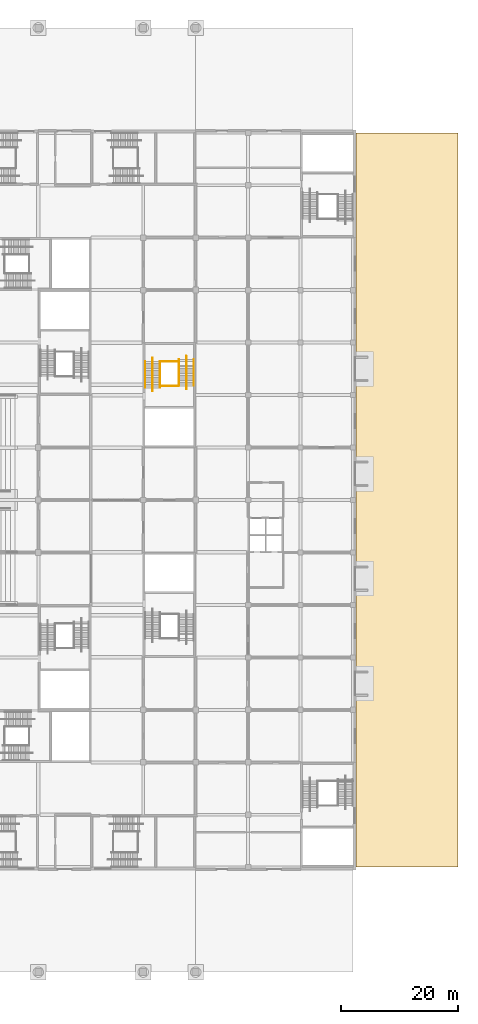
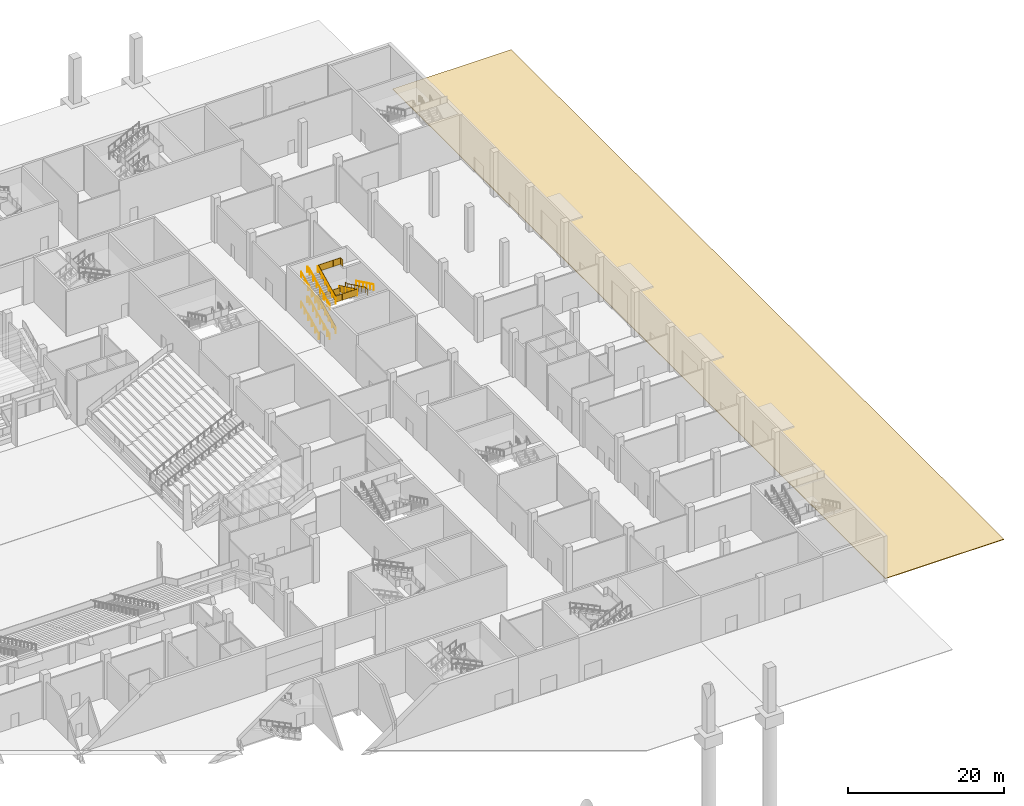
# One storey, part 81 of 92: 15 railings, 1 covering.
"""IFC4 building model written with IfcOpenShell, lengths in metres."""

from ifc_helpers import new_model, si_unit, direction, frame, origin, origin_2d, place, context, subcontext, project, spatial, polyline, circle, outline, extrude, material, layer, layer_set, type_object, element, save


model = new_model("IFC4")

# Units and contexts
model_context = context("Model", 3, precision=1e-05, world=origin(), true_north=direction((0.0, 1.0)))
body_context = subcontext(model_context, "Body", "Model", "MODEL_VIEW")
ifc_project = project(units=[si_unit("LENGTHUNIT", "METRE"), si_unit("AREAUNIT", "SQUARE_METRE"), si_unit("VOLUMEUNIT", "CUBIC_METRE"), si_unit("PLANEANGLEUNIT", "RADIAN"), si_unit("MASSUNIT", "GRAM", prefix="KILO")], contexts=[model_context])

# Site, building, storey
site_placement = place(None, origin())
site = spatial("IfcSite", under=ifc_project, at=site_placement, CompositionType="ELEMENT")
building_placement = place(site_placement, origin())
building = spatial("IfcBuilding", under=site, at=building_placement, Name="Silverbay Arena", CompositionType="ELEMENT")
storey_placement = place(building_placement, origin())
storey = spatial("IfcBuildingStorey", under=building, at=storey_placement, Name="L00", CompositionType="ELEMENT", Elevation=0.0)

# Covering
ifc_material_1 = material(Name="Granite paving slabs", Category="masonry")
ifc_layer = layer(ifc_material_1, 0.10009765625)
ifc_layer_set = layer_set([ifc_layer], Name="Granite paving slabs")
covering_type = type_object("IfcCoveringType", Name="Granite paving 100", PredefinedType="FLOORING", material=ifc_layer_set)
covering_placement = place(storey_placement, frame((0.0, 0.0, -0.10009765625)))
element("IfcCovering", 1, at=covering_placement, inside=storey, type_object=covering_type, Name="Paving loading apron", PredefinedType="FLOORING", context=body_context, shape_type="SweptSolid", body=[
    extrude(outline(polyline([(252.0, 18.0), (234.5, 18.0), (234.5, 144.0), (252.0, 144.0), (252.0, 18.0)])), origin(), (0.0, 0.0, 1.0), 0.10009765625),
])

# Railings
ifc_material_2 = material(Name="Stainless steel", Category="steel")
railing_type_1 = type_object("IfcRailingType", Name="Stair guard 1100", PredefinedType="GUARDRAIL", material=ifc_material_2)
railing_1_placement = place(storey_placement, frame((200.875, 100.2568359375, 0.145751953125)))
element("IfcRailing", 2, at=railing_1_placement, inside=storey, type_object=railing_type_1, Name="Stair ST-E2 L00 to L01 flight 1 guard right", PredefinedType="GUARDRAIL", context=body_context, shape_type="SweptSolid", body=[
    extrude(circle(Radius=0.02392578125, at=origin_2d()), frame((0.0, 0.0, 1.076171875), z_axis=(0.0, 0.899367854138, 0.437192706873), x_axis=(-1.0, 0.0, 0.0)), (0.0, 0.0, 1.0), 5.00341796875),
    extrude(outline(polyline([(-0.008056640625, 0.046142578125), (0.907958984375, 0.491455078125), (0.907958984375, 1.494384765625), (-0.008056640625, 1.049072265625), (-0.008056640625, 0.046142578125)])), frame((-0.0029296875, 0.0, 0.0), z_axis=(1.0, 0.0, 0.0), x_axis=(0.0, 1.0, 0.0)), (0.0, 0.0, 1.0), 0.006103515625),
    extrude(outline(polyline([(-0.008056640625, 0.483642578125), (0.907958984375, 0.928955078125), (0.907958984375, 1.931884765625), (-0.008056640625, 1.486572265625), (-0.008056640625, 0.483642578125)])), frame((-0.0029296875, 0.89990234375, 0.0), z_axis=(1.0, 0.0, 0.0), x_axis=(0.0, 1.0, 0.0)), (0.0, 0.0, 1.0), 0.006103515625),
    extrude(outline(polyline([(-0.008056640625, 0.921142578125), (0.907958984375, 1.366455078125), (0.907958984375, 2.369384765625), (-0.008056640625, 1.924072265625), (-0.008056640625, 0.921142578125)])), frame((-0.0029296875, 1.800048828125, 0.0), z_axis=(1.0, 0.0, 0.0), x_axis=(0.0, 1.0, 0.0)), (0.0, 0.0, 1.0), 0.006103515625),
    extrude(outline(polyline([(-0.008056640625, 1.358642578125), (0.907958984375, 1.803955078125), (0.907958984375, 2.806884765625), (-0.008056640625, 2.361572265625), (-0.008056640625, 1.358642578125)])), frame((-0.0029296875, 2.699951171875, 0.0), z_axis=(1.0, 0.0, 0.0), x_axis=(0.0, 1.0, 0.0)), (0.0, 0.0, 1.0), 0.006103515625),
    extrude(outline(polyline([(-0.008056640625, 1.796142578125), (0.907958984375, 2.241455078125), (0.907958984375, 3.244384765625), (-0.008056640625, 2.799072265625), (-0.008056640625, 1.796142578125)])), frame((-0.0029296875, 3.60009765625, 0.0), z_axis=(1.0, 0.0, 0.0), x_axis=(0.0, 1.0, 0.0)), (0.0, 0.0, 1.0), 0.006103515625),
    extrude(circle(Radius=0.02099609375, at=origin_2d()), origin(), (0.0, 0.0, 1.0), 1.052001953125),
    extrude(circle(Radius=0.02099609375, at=origin_2d()), frame((0.0, 0.89990234375, 0.4375)), (0.0, 0.0, 1.0), 1.052001953125),
    extrude(circle(Radius=0.02099609375, at=origin_2d()), frame((0.0, 1.800048828125, 0.875)), (0.0, 0.0, 1.0), 1.052001953125),
    extrude(circle(Radius=0.02099609375, at=origin_2d()), frame((0.0, 2.699951171875, 1.3125)), (0.0, 0.0, 1.0), 1.052001953125),
    extrude(circle(Radius=0.02099609375, at=origin_2d()), frame((0.0, 3.60009765625, 1.75)), (0.0, 0.0, 1.0), 1.052001953125),
    extrude(circle(Radius=0.02099609375, at=origin_2d()), frame((0.0, 4.5, 2.1875)), (0.0, 0.0, 1.0), 1.052001953125),
])
railing_2_placement = place(storey_placement, frame((204.125, 105.10009765625, 2.479248046875)))
element("IfcRailing", 3, at=railing_2_placement, inside=storey, type_object=railing_type_1, Name="Stair ST-E2 L00 to L01 flight 2 guard left", PredefinedType="GUARDRAIL", context=body_context, shape_type="SweptSolid", body=[
    extrude(circle(Radius=0.02392578125, at=origin_2d()), frame((0.0, 0.0, 1.076171875), z_axis=(0.0, -0.899367854138, 0.437192706873), x_axis=(1.0, 0.0, 0.0)), (0.0, 0.0, 1.0), 5.00341796875),
    extrude(outline(polyline([(-0.008056640625, 0.046142578125), (0.907958984375, 0.491455078125), (0.907958984375, 1.494384765625), (-0.008056640625, 1.049072265625), (-0.008056640625, 0.046142578125)])), frame((0.0029296875, 0.0, 0.0), z_axis=(-1.0, 0.0, 0.0), x_axis=(0.0, -1.0, 0.0)), (0.0, 0.0, 1.0), 0.006103515625),
    extrude(outline(polyline([(-0.008056640625, 0.483642578125), (0.907958984375, 0.928955078125), (0.907958984375, 1.931884765625), (-0.008056640625, 1.486572265625), (-0.008056640625, 0.483642578125)])), frame((0.0029296875, -0.89990234375, 0.0), z_axis=(-1.0, 0.0, 0.0), x_axis=(0.0, -1.0, 0.0)), (0.0, 0.0, 1.0), 0.006103515625),
    extrude(outline(polyline([(-0.008056640625, 0.921142578125), (0.907958984375, 1.366455078125), (0.907958984375, 2.369384765625), (-0.008056640625, 1.924072265625), (-0.008056640625, 0.921142578125)])), frame((0.0029296875, -1.800048828125, 0.0), z_axis=(-1.0, 0.0, 0.0), x_axis=(0.0, -1.0, 0.0)), (0.0, 0.0, 1.0), 0.006103515625),
    extrude(outline(polyline([(-0.008056640625, 1.358642578125), (0.907958984375, 1.803955078125), (0.907958984375, 2.806884765625), (-0.008056640625, 2.361572265625), (-0.008056640625, 1.358642578125)])), frame((0.0029296875, -2.699951171875, 0.0), z_axis=(-1.0, 0.0, 0.0), x_axis=(0.0, -1.0, 0.0)), (0.0, 0.0, 1.0), 0.006103515625),
    extrude(outline(polyline([(-0.008056640625, 1.796142578125), (0.907958984375, 2.241455078125), (0.907958984375, 3.244384765625), (-0.008056640625, 2.799072265625), (-0.008056640625, 1.796142578125)])), frame((0.0029296875, -3.60009765625, 0.0), z_axis=(-1.0, 0.0, 0.0), x_axis=(0.0, -1.0, 0.0)), (0.0, 0.0, 1.0), 0.006103515625),
    extrude(circle(Radius=0.02099609375, at=origin_2d()), origin(), (0.0, 0.0, 1.0), 1.052001953125),
    extrude(circle(Radius=0.02099609375, at=origin_2d()), frame((0.0, -0.89990234375, 0.4375)), (0.0, 0.0, 1.0), 1.052001953125),
    extrude(circle(Radius=0.02099609375, at=origin_2d()), frame((0.0, -1.800048828125, 0.875)), (0.0, 0.0, 1.0), 1.052001953125),
    extrude(circle(Radius=0.02099609375, at=origin_2d()), frame((0.0, -2.699951171875, 1.3125)), (0.0, 0.0, 1.0), 1.052001953125),
    extrude(circle(Radius=0.02099609375, at=origin_2d()), frame((0.0, -3.60009765625, 1.75)), (0.0, 0.0, 1.0), 1.052001953125),
    extrude(circle(Radius=0.02099609375, at=origin_2d()), frame((0.0, -4.5, 2.1875)), (0.0, 0.0, 1.0), 1.052001953125),
])
railing_3_placement = place(storey_placement, frame((200.875, 100.2568359375, 4.8125)))
element("IfcRailing", 4, at=railing_3_placement, inside=storey, type_object=railing_type_1, Name="Stair ST-E2 L00 to L01 flight 3 guard right", PredefinedType="GUARDRAIL", context=body_context, shape_type="SweptSolid", body=[
    extrude(circle(Radius=0.02392578125, at=origin_2d()), frame((0.0, 0.0, 1.076171875), z_axis=(0.0, 0.899367854138, 0.437192706873), x_axis=(-1.0, 0.0, 0.0)), (0.0, 0.0, 1.0), 5.00341796875),
    extrude(outline(polyline([(-0.008056640625, 0.046142578125), (0.907958984375, 0.491455078125), (0.907958984375, 1.494384765625), (-0.008056640625, 1.049072265625), (-0.008056640625, 0.046142578125)])), frame((-0.0029296875, 0.0, 0.0), z_axis=(1.0, 0.0, 0.0), x_axis=(0.0, 1.0, 0.0)), (0.0, 0.0, 1.0), 0.006103515625),
    extrude(outline(polyline([(-0.008056640625, 0.483642578125), (0.907958984375, 0.928955078125), (0.907958984375, 1.931884765625), (-0.008056640625, 1.486572265625), (-0.008056640625, 0.483642578125)])), frame((-0.0029296875, 0.89990234375, 0.0), z_axis=(1.0, 0.0, 0.0), x_axis=(0.0, 1.0, 0.0)), (0.0, 0.0, 1.0), 0.006103515625),
    extrude(outline(polyline([(-0.008056640625, 0.921142578125), (0.907958984375, 1.366455078125), (0.907958984375, 2.369384765625), (-0.008056640625, 1.924072265625), (-0.008056640625, 0.921142578125)])), frame((-0.0029296875, 1.800048828125, 0.0), z_axis=(1.0, 0.0, 0.0), x_axis=(0.0, 1.0, 0.0)), (0.0, 0.0, 1.0), 0.006103515625),
    extrude(outline(polyline([(-0.008056640625, 1.358642578125), (0.907958984375, 1.803955078125), (0.907958984375, 2.806884765625), (-0.008056640625, 2.361572265625), (-0.008056640625, 1.358642578125)])), frame((-0.0029296875, 2.699951171875, 0.0), z_axis=(1.0, 0.0, 0.0), x_axis=(0.0, 1.0, 0.0)), (0.0, 0.0, 1.0), 0.006103515625),
    extrude(outline(polyline([(-0.008056640625, 1.796142578125), (0.907958984375, 2.241455078125), (0.907958984375, 3.244384765625), (-0.008056640625, 2.799072265625), (-0.008056640625, 1.796142578125)])), frame((-0.0029296875, 3.60009765625, 0.0), z_axis=(1.0, 0.0, 0.0), x_axis=(0.0, 1.0, 0.0)), (0.0, 0.0, 1.0), 0.006103515625),
    extrude(circle(Radius=0.02099609375, at=origin_2d()), origin(), (0.0, 0.0, 1.0), 1.052001953125),
    extrude(circle(Radius=0.02099609375, at=origin_2d()), frame((0.0, 0.89990234375, 0.4375)), (0.0, 0.0, 1.0), 1.052001953125),
    extrude(circle(Radius=0.02099609375, at=origin_2d()), frame((0.0, 1.800048828125, 0.875)), (0.0, 0.0, 1.0), 1.052001953125),
    extrude(circle(Radius=0.02099609375, at=origin_2d()), frame((0.0, 2.699951171875, 1.3125)), (0.0, 0.0, 1.0), 1.052001953125),
    extrude(circle(Radius=0.02099609375, at=origin_2d()), frame((0.0, 3.60009765625, 1.75)), (0.0, 0.0, 1.0), 1.052001953125),
    extrude(circle(Radius=0.02099609375, at=origin_2d()), frame((0.0, 4.5, 2.1875)), (0.0, 0.0, 1.0), 1.052001953125),
])
for number, where, name in (
    (5, (200.89990234375, 104.806884765625, 2.333251953125), "Stair ST-E2 L00 to L01 landing 1 guard"),
    (6, (200.89990234375, 100.550048828125, 4.666748046875), "Stair ST-E2 L00 to L01 landing 2 guard"),
):
    element("IfcRailing", number, at=place(storey_placement, frame(where)), inside=storey, type_object=railing_type_1, Name=name, PredefinedType="GUARDRAIL", context=body_context, shape_type="SweptSolid", body=[
        extrude(circle(Radius=0.02392578125, at=origin_2d()), frame((0.0, 0.0, 1.076171875), z_axis=(1.0, 0.0, 0.0), x_axis=(0.0, 1.0, 0.0)), (0.0, 0.0, 1.0), 3.2001953125),
        extrude(outline(polyline([(-0.008056640625, 0.050048828125), (1.07470703125, 0.050048828125), (1.07470703125, 1.052978515625), (-0.008056640625, 1.052978515625), (-0.008056640625, 0.050048828125)])), frame((0.0, 0.0029296875, 0.0), z_axis=(0.0, -1.0, 0.0), x_axis=(1.0, 0.0, 0.0)), (0.0, 0.0, 1.0), 0.006103515625),
        extrude(outline(polyline([(-0.008056640625, 0.050048828125), (1.07470703125, 0.050048828125), (1.07470703125, 1.052978515625), (-0.008056640625, 1.052978515625), (-0.008056640625, 0.050048828125)])), frame((1.066650390625, 0.0029296875, 0.0), z_axis=(0.0, -1.0, 0.0), x_axis=(1.0, 0.0, 0.0)), (0.0, 0.0, 1.0), 0.006103515625),
        extrude(outline(polyline([(-0.008056640625, 0.050048828125), (1.07470703125, 0.050048828125), (1.07470703125, 1.052978515625), (-0.008056640625, 1.052978515625), (-0.008056640625, 0.050048828125)])), frame((2.133544921875, 0.0029296875, 0.0), z_axis=(0.0, -1.0, 0.0), x_axis=(1.0, 0.0, 0.0)), (0.0, 0.0, 1.0), 0.006103515625),
        extrude(circle(Radius=0.02099609375, at=origin_2d()), origin(), (0.0, 0.0, 1.0), 1.052001953125),
        extrude(circle(Radius=0.02099609375, at=origin_2d()), frame((1.066650390625, 0.0, 0.0)), (0.0, 0.0, 1.0), 1.052001953125),
        extrude(circle(Radius=0.02099609375, at=origin_2d()), frame((2.133544921875, 0.0, 0.0)), (0.0, 0.0, 1.0), 1.052001953125),
        extrude(circle(Radius=0.02099609375, at=origin_2d()), frame((3.2001953125, 0.0, 0.0)), (0.0, 0.0, 1.0), 1.052001953125),
    ])
railing_4_placement = place(storey_placement, frame((204.14990234375, 104.14990234375, 7.0)))
element("IfcRailing", 7, at=railing_4_placement, inside=storey, type_object=railing_type_1, Name="Stair ST-E2 L00 to L01 landing 3 guard", PredefinedType="GUARDRAIL", context=body_context, shape_type="SweptSolid", body=[
    extrude(circle(Radius=0.02392578125, at=origin_2d()), frame((0.0, 0.0, 1.076171875), z_axis=(0.0, 1.0, 0.0), x_axis=(-1.0, 0.0, 0.0)), (0.0, 0.0, 1.0), 0.60693359375),
    extrude(outline(polyline([(-0.008056640625, 0.050048828125), (0.614990234375, 0.050048828125), (0.614990234375, 1.052978515625), (-0.008056640625, 1.052978515625), (-0.008056640625, 0.050048828125)])), frame((-0.0029296875, 0.0, 0.0), z_axis=(1.0, 0.0, 0.0), x_axis=(0.0, 1.0, 0.0)), (0.0, 0.0, 1.0), 0.006103515625),
    extrude(circle(Radius=0.02392578125, at=origin_2d()), frame((0.0, 0.60693359375, 1.076171875), z_axis=(-1.0, 0.0, 0.0), x_axis=(0.0, -1.0, 0.0)), (0.0, 0.0, 1.0), 3.25),
    extrude(outline(polyline([(-0.008056640625, 0.050048828125), (1.09130859375, 0.050048828125), (1.09130859375, 1.052978515625), (-0.008056640625, 1.052978515625), (-0.008056640625, 0.050048828125)])), frame((0.0, 0.60400390625, 0.0), z_axis=(0.0, 1.0, 0.0), x_axis=(-1.0, 0.0, 0.0)), (0.0, 0.0, 1.0), 0.006103515625),
    extrude(outline(polyline([(-0.008056640625, 0.050048828125), (1.09130859375, 0.050048828125), (1.09130859375, 1.052978515625), (-0.008056640625, 1.052978515625), (-0.008056640625, 0.050048828125)])), frame((-1.083251953125, 0.60400390625, 0.0), z_axis=(0.0, 1.0, 0.0), x_axis=(-1.0, 0.0, 0.0)), (0.0, 0.0, 1.0), 0.006103515625),
    extrude(outline(polyline([(-0.008056640625, 0.050048828125), (1.09130859375, 0.050048828125), (1.09130859375, 1.052978515625), (-0.008056640625, 1.052978515625), (-0.008056640625, 0.050048828125)])), frame((-2.166748046875, 0.60400390625, 0.0), z_axis=(0.0, 1.0, 0.0), x_axis=(-1.0, 0.0, 0.0)), (0.0, 0.0, 1.0), 0.006103515625),
    extrude(circle(Radius=0.02099609375, at=origin_2d()), origin(), (0.0, 0.0, 1.0), 1.052001953125),
    extrude(circle(Radius=0.02099609375, at=origin_2d()), frame((0.0, 0.60693359375, 0.0)), (0.0, 0.0, 1.0), 1.052001953125),
    extrude(circle(Radius=0.02099609375, at=origin_2d()), frame((-1.083251953125, 0.60693359375, 0.0)), (0.0, 0.0, 1.0), 1.052001953125),
    extrude(circle(Radius=0.02099609375, at=origin_2d()), frame((-2.166748046875, 0.60693359375, 0.0)), (0.0, 0.0, 1.0), 1.052001953125),
    extrude(circle(Radius=0.02099609375, at=origin_2d()), frame((-3.25, 0.60693359375, 0.0)), (0.0, 0.0, 1.0), 1.052001953125),
])
ifc_material_3 = material(Name="Stainless steel", Category="steel")
railing_type_2 = type_object("IfcRailingType", Name="Stair handrail 900", PredefinedType="HANDRAIL", material=ifc_material_3)
for number, where, name in (
    (8, (198.35009765625, 100.2568359375, 0.145751953125), "Stair ST-E2 L00 to L01 flight 1 handrail left"),
    (9, (200.8359375, 100.2568359375, 0.145751953125), "Stair ST-E2 L00 to L01 flight 1 handrail right"),
):
    element("IfcRailing", number, at=place(storey_placement, frame(where)), inside=storey, type_object=railing_type_2, Name=name, PredefinedType="HANDRAIL", context=body_context, shape_type="SweptSolid", body=[
        extrude(circle(Radius=0.02392578125, at=origin_2d()), frame((0.0, 0.0, 0.8759765625), z_axis=(0.0, 0.899367854138, 0.437192706873), x_axis=(-1.0, 0.0, 0.0)), (0.0, 0.0, 1.0), 5.00341796875),
        extrude(circle(Radius=0.02099609375, at=origin_2d()), origin(), (0.0, 0.0, 1.0), 0.851806640625),
        extrude(circle(Radius=0.02099609375, at=origin_2d()), frame((0.0, 0.89990234375, 0.4375)), (0.0, 0.0, 1.0), 0.851806640625),
        extrude(circle(Radius=0.02099609375, at=origin_2d()), frame((0.0, 1.800048828125, 0.875)), (0.0, 0.0, 1.0), 0.851806640625),
        extrude(circle(Radius=0.02099609375, at=origin_2d()), frame((0.0, 2.699951171875, 1.3125)), (0.0, 0.0, 1.0), 0.851806640625),
        extrude(circle(Radius=0.02099609375, at=origin_2d()), frame((0.0, 3.60009765625, 1.75)), (0.0, 0.0, 1.0), 0.851806640625),
        extrude(circle(Radius=0.02099609375, at=origin_2d()), frame((0.0, 4.5, 2.1875)), (0.0, 0.0, 1.0), 0.851806640625),
    ])
railing_5_placement = place(storey_placement, frame((199.60009765625, 99.656982421875, 0.0)))
element("IfcRailing", 10, at=railing_5_placement, inside=storey, type_object=railing_type_2, Name="Stair ST-E2 L00 to L01 flight 1 central handrail", PredefinedType="HANDRAIL", context=body_context, shape_type="SweptSolid", body=[
    extrude(circle(Radius=0.02392578125, at=origin_2d()), frame((0.0, 0.0, 0.8759765625), z_axis=(0.0, 0.971726487806, 0.23610936639), x_axis=(-1.0, 0.0, 0.0)), (0.0, 0.0, 1.0), 0.6171875),
    extrude(circle(Radius=0.02392578125, at=origin_2d()), frame((0.0, 0.599853515625, 1.021484375), z_axis=(0.0, 0.899367854138, 0.437192706873), x_axis=(-1.0, 0.0, 0.0)), (0.0, 0.0, 1.0), 5.00341796875),
    extrude(circle(Radius=0.02392578125, at=origin_2d()), frame((0.0, 5.099853515625, 3.208984375), z_axis=(0.0, 1.0, 0.0), x_axis=(-1.0, 0.0, 0.0)), (0.0, 0.0, 1.0), 0.60009765625),
    extrude(circle(Radius=0.02099609375, at=origin_2d()), origin(), (0.0, 0.0, 1.0), 0.851806640625),
    extrude(circle(Radius=0.02099609375, at=origin_2d()), frame((0.0, 0.599853515625, 0.145751953125)), (0.0, 0.0, 1.0), 0.851806640625),
    extrude(circle(Radius=0.02099609375, at=origin_2d()), frame((0.0, 1.499755859375, 0.583251953125)), (0.0, 0.0, 1.0), 0.851806640625),
    extrude(circle(Radius=0.02099609375, at=origin_2d()), frame((0.0, 2.39990234375, 1.020751953125)), (0.0, 0.0, 1.0), 0.851806640625),
    extrude(circle(Radius=0.02099609375, at=origin_2d()), frame((0.0, 3.2998046875, 1.458251953125)), (0.0, 0.0, 1.0), 0.851806640625),
    extrude(circle(Radius=0.02099609375, at=origin_2d()), frame((0.0, 4.199951171875, 1.895751953125)), (0.0, 0.0, 1.0), 0.851806640625),
    extrude(circle(Radius=0.02099609375, at=origin_2d()), frame((0.0, 5.099853515625, 2.333251953125)), (0.0, 0.0, 1.0), 0.851806640625),
    extrude(circle(Radius=0.02099609375, at=origin_2d()), frame((0.0, 5.699951171875, 2.333251953125)), (0.0, 0.0, 1.0), 0.851806640625),
])
for number, where, name in (
    (11, (204.1640625, 105.10009765625, 2.479248046875), "Stair ST-E2 L00 to L01 flight 2 handrail left"),
    (12, (206.64990234375, 105.10009765625, 2.479248046875), "Stair ST-E2 L00 to L01 flight 2 handrail right"),
):
    element("IfcRailing", number, at=place(storey_placement, frame(where)), inside=storey, type_object=railing_type_2, Name=name, PredefinedType="HANDRAIL", context=body_context, shape_type="SweptSolid", body=[
        extrude(circle(Radius=0.02392578125, at=origin_2d()), frame((0.0, 0.0, 0.8759765625), z_axis=(0.0, -0.899367854138, 0.437192706873), x_axis=(1.0, 0.0, 0.0)), (0.0, 0.0, 1.0), 5.00341796875),
        extrude(circle(Radius=0.02099609375, at=origin_2d()), origin(), (0.0, 0.0, 1.0), 0.851806640625),
        extrude(circle(Radius=0.02099609375, at=origin_2d()), frame((0.0, -0.89990234375, 0.4375)), (0.0, 0.0, 1.0), 0.851806640625),
        extrude(circle(Radius=0.02099609375, at=origin_2d()), frame((0.0, -1.800048828125, 0.875)), (0.0, 0.0, 1.0), 0.851806640625),
        extrude(circle(Radius=0.02099609375, at=origin_2d()), frame((0.0, -2.699951171875, 1.3125)), (0.0, 0.0, 1.0), 0.851806640625),
        extrude(circle(Radius=0.02099609375, at=origin_2d()), frame((0.0, -3.60009765625, 1.75)), (0.0, 0.0, 1.0), 0.851806640625),
        extrude(circle(Radius=0.02099609375, at=origin_2d()), frame((0.0, -4.5, 2.1875)), (0.0, 0.0, 1.0), 0.851806640625),
    ])
railing_6_placement = place(storey_placement, frame((205.39990234375, 105.699951171875, 2.333251953125)))
element("IfcRailing", 13, at=railing_6_placement, inside=storey, type_object=railing_type_2, Name="Stair ST-E2 L00 to L01 flight 2 central handrail", PredefinedType="HANDRAIL", context=body_context, shape_type="SweptSolid", body=[
    extrude(circle(Radius=0.02392578125, at=origin_2d()), frame((0.0, 0.0, 0.8759765625), z_axis=(0.0, -0.971635685089, 0.236482759334), x_axis=(1.0, 0.0, 0.0)), (0.0, 0.0, 1.0), 0.617431640625),
    extrude(circle(Radius=0.02392578125, at=origin_2d()), frame((0.0, -0.599853515625, 1.02197265625), z_axis=(0.0, -0.899367854138, 0.437192706873), x_axis=(1.0, 0.0, 0.0)), (0.0, 0.0, 1.0), 5.00341796875),
    extrude(circle(Radius=0.02392578125, at=origin_2d()), frame((0.0, -5.099853515625, 3.20947265625), z_axis=(0.0, -1.0, 0.0), x_axis=(1.0, 0.0, 0.0)), (0.0, 0.0, 1.0), 0.60009765625),
    extrude(circle(Radius=0.02099609375, at=origin_2d()), origin(), (0.0, 0.0, 1.0), 0.851806640625),
    extrude(circle(Radius=0.02099609375, at=origin_2d()), frame((0.0, -0.599853515625, 0.14599609375)), (0.0, 0.0, 1.0), 0.851806640625),
    extrude(circle(Radius=0.02099609375, at=origin_2d()), frame((0.0, -1.499755859375, 0.58349609375)), (0.0, 0.0, 1.0), 0.851806640625),
    extrude(circle(Radius=0.02099609375, at=origin_2d()), frame((0.0, -2.39990234375, 1.02099609375)), (0.0, 0.0, 1.0), 0.851806640625),
    extrude(circle(Radius=0.02099609375, at=origin_2d()), frame((0.0, -3.2998046875, 1.45849609375)), (0.0, 0.0, 1.0), 0.851806640625),
    extrude(circle(Radius=0.02099609375, at=origin_2d()), frame((0.0, -4.199951171875, 1.89599609375)), (0.0, 0.0, 1.0), 0.851806640625),
    extrude(circle(Radius=0.02099609375, at=origin_2d()), frame((0.0, -5.099853515625, 2.33349609375)), (0.0, 0.0, 1.0), 0.851806640625),
    extrude(circle(Radius=0.02099609375, at=origin_2d()), frame((0.0, -5.699951171875, 2.33349609375)), (0.0, 0.0, 1.0), 0.851806640625),
])
for number, where, name in (
    (14, (198.35009765625, 100.2568359375, 4.8125), "Stair ST-E2 L00 to L01 flight 3 handrail left"),
    (15, (200.8359375, 100.2568359375, 4.8125), "Stair ST-E2 L00 to L01 flight 3 handrail right"),
):
    element("IfcRailing", number, at=place(storey_placement, frame(where)), inside=storey, type_object=railing_type_2, Name=name, PredefinedType="HANDRAIL", context=body_context, shape_type="SweptSolid", body=[
        extrude(circle(Radius=0.02392578125, at=origin_2d()), frame((0.0, 0.0, 0.8759765625), z_axis=(0.0, 0.899367854138, 0.437192706873), x_axis=(-1.0, 0.0, 0.0)), (0.0, 0.0, 1.0), 5.00341796875),
        extrude(circle(Radius=0.02099609375, at=origin_2d()), origin(), (0.0, 0.0, 1.0), 0.851806640625),
        extrude(circle(Radius=0.02099609375, at=origin_2d()), frame((0.0, 0.89990234375, 0.4375)), (0.0, 0.0, 1.0), 0.851806640625),
        extrude(circle(Radius=0.02099609375, at=origin_2d()), frame((0.0, 1.800048828125, 0.875)), (0.0, 0.0, 1.0), 0.851806640625),
        extrude(circle(Radius=0.02099609375, at=origin_2d()), frame((0.0, 2.699951171875, 1.3125)), (0.0, 0.0, 1.0), 0.851806640625),
        extrude(circle(Radius=0.02099609375, at=origin_2d()), frame((0.0, 3.60009765625, 1.75)), (0.0, 0.0, 1.0), 0.851806640625),
        extrude(circle(Radius=0.02099609375, at=origin_2d()), frame((0.0, 4.5, 2.1875)), (0.0, 0.0, 1.0), 0.851806640625),
    ])
railing_7_placement = place(storey_placement, frame((199.60009765625, 99.656982421875, 4.666748046875)))
element("IfcRailing", 16, at=railing_7_placement, inside=storey, type_object=railing_type_2, Name="Stair ST-E2 L00 to L01 flight 3 central handrail", PredefinedType="HANDRAIL", context=body_context, shape_type="SweptSolid", body=[
    extrude(circle(Radius=0.02392578125, at=origin_2d()), frame((0.0, 0.0, 0.8759765625), z_axis=(0.0, 0.971726487806, 0.23610936639), x_axis=(-1.0, 0.0, 0.0)), (0.0, 0.0, 1.0), 0.6171875),
    extrude(circle(Radius=0.02392578125, at=origin_2d()), frame((0.0, 0.599853515625, 1.021484375), z_axis=(0.0, 0.899367854138, 0.437192706873), x_axis=(-1.0, 0.0, 0.0)), (0.0, 0.0, 1.0), 5.00341796875),
    extrude(circle(Radius=0.02392578125, at=origin_2d()), frame((0.0, 5.099853515625, 3.208984375), z_axis=(0.0, 1.0, 0.0), x_axis=(-1.0, 0.0, 0.0)), (0.0, 0.0, 1.0), 0.60009765625),
    extrude(circle(Radius=0.02099609375, at=origin_2d()), origin(), (0.0, 0.0, 1.0), 0.851806640625),
    extrude(circle(Radius=0.02099609375, at=origin_2d()), frame((0.0, 0.599853515625, 0.145751953125)), (0.0, 0.0, 1.0), 0.851806640625),
    extrude(circle(Radius=0.02099609375, at=origin_2d()), frame((0.0, 1.499755859375, 0.583251953125)), (0.0, 0.0, 1.0), 0.851806640625),
    extrude(circle(Radius=0.02099609375, at=origin_2d()), frame((0.0, 2.39990234375, 1.020751953125)), (0.0, 0.0, 1.0), 0.851806640625),
    extrude(circle(Radius=0.02099609375, at=origin_2d()), frame((0.0, 3.2998046875, 1.458251953125)), (0.0, 0.0, 1.0), 0.851806640625),
    extrude(circle(Radius=0.02099609375, at=origin_2d()), frame((0.0, 4.199951171875, 1.895751953125)), (0.0, 0.0, 1.0), 0.851806640625),
    extrude(circle(Radius=0.02099609375, at=origin_2d()), frame((0.0, 5.099853515625, 2.333251953125)), (0.0, 0.0, 1.0), 0.851806640625),
    extrude(circle(Radius=0.02099609375, at=origin_2d()), frame((0.0, 5.699951171875, 2.333251953125)), (0.0, 0.0, 1.0), 0.851806640625),
])

save(model, "model.ifc")
